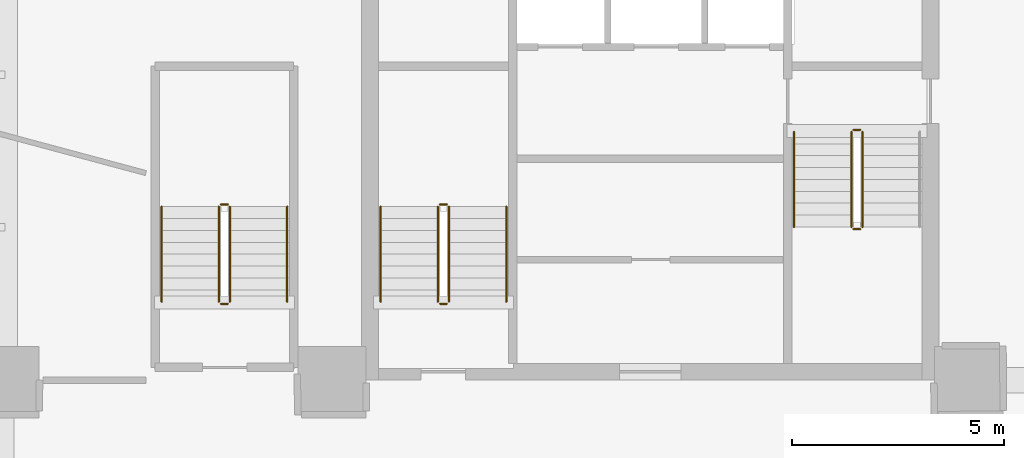
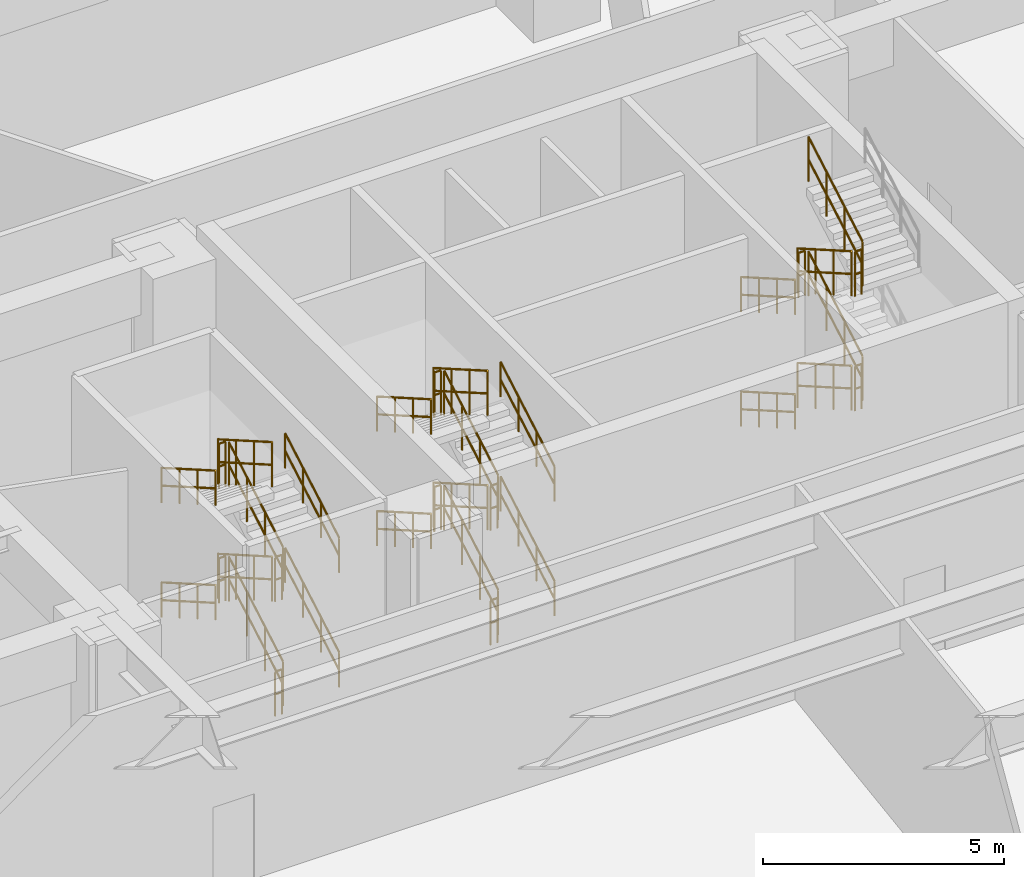
# One storey, part 9 of 12: 33 railings.
"""IFC4 building model written with IfcOpenShell, lengths in metres."""

from ifc_helpers import new_model, si_unit, direction, frame, origin, origin_2d, place, context, subcontext, project, spatial, circle, extrude, material, type_object, element, save


model = new_model("IFC4")

# Units and contexts
model_context = context("Model", 3, precision=1e-05, world=origin(), true_north=direction((0.0, 1.0)))
body_context = subcontext(model_context, "Body", "Model", "MODEL_VIEW")
ifc_project = project(units=[si_unit("LENGTHUNIT", "METRE"), si_unit("AREAUNIT", "SQUARE_METRE"), si_unit("VOLUMEUNIT", "CUBIC_METRE"), si_unit("PLANEANGLEUNIT", "RADIAN"), si_unit("MASSUNIT", "GRAM", prefix="KILO")], contexts=[model_context])

# Site, building, storey
site_placement = place(None, origin())
site = spatial("IfcSite", under=ifc_project, at=site_placement, CompositionType="ELEMENT")
building_placement = place(site_placement, origin())
building = spatial("IfcBuilding", under=site, at=building_placement, Name="Talar Marvaseh", CompositionType="ELEMENT")
storey_placement = place(building_placement, frame((0.0, 0.0, -5.800048828125)))
storey = spatial("IfcBuildingStorey", under=building, at=storey_placement, Name="B01", CompositionType="ELEMENT", Elevation=-5.800048828125)

# Railings
ifc_material = material(Name="Stainless Steel Grade 316", Category="steel")
railing_type_1 = type_object("IfcRailingType", Name="Brushed Stainless Wall Pitch Handrail 900", PredefinedType="HANDRAIL", material=ifc_material)
railing_1_placement = place(storey_placement, frame((22.610107421875, 27.64990234375, 0.1611328125)))
element("IfcRailing", 1, at=railing_1_placement, inside=storey, type_object=railing_type_1, Name="B01 ST-1 stair handrail 1", PredefinedType="HANDRAIL", context=body_context, shape_type="SweptSolid", body=[
    extrude(circle(Radius=0.02392578125, at=origin_2d()), frame((0.0, 0.0, 0.8759765625), z_axis=(0.0, 0.866768490956, 0.498710720845), x_axis=(-1.0, 0.0, 0.0)), (0.0, 0.0, 1.0), 2.584228515625),
    extrude(circle(Radius=0.02392578125, at=origin_2d()), frame((0.0, 0.0, 0.42578125), z_axis=(0.0, 0.866768490956, 0.498710720845), x_axis=(-1.0, 0.0, 0.0)), (0.0, 0.0, 1.0), 2.584228515625),
    extrude(circle(Radius=0.02099609375, at=origin_2d()), origin(), (0.0, 0.0, 1.0), 0.851806640625),
    extrude(circle(Radius=0.02099609375, at=origin_2d()), frame((0.0, 0.74658203125, 0.4296875)), (0.0, 0.0, 1.0), 0.851806640625),
    extrude(circle(Radius=0.02099609375, at=origin_2d()), frame((0.0, 1.493408203125, 0.859130859375)), (0.0, 0.0, 1.0), 0.851806640625),
    extrude(circle(Radius=0.02099609375, at=origin_2d()), frame((0.0, 2.239990234375, 1.288818359375)), (0.0, 0.0, 1.0), 0.851806640625),
])
railing_2_placement = place(storey_placement, frame((19.64990234375, 29.889892578125, 1.611083984375)))
element("IfcRailing", 2, at=railing_2_placement, inside=storey, type_object=railing_type_1, Name="B01 ST-1 stair handrail 2", PredefinedType="HANDRAIL", context=body_context, shape_type="SweptSolid", body=[
    extrude(circle(Radius=0.02392578125, at=origin_2d()), frame((0.0, 0.0, 0.8759765625), z_axis=(0.0, -0.866727653441, 0.498781690482), x_axis=(1.0, 0.0, 0.0)), (0.0, 0.0, 1.0), 2.58447265625),
    extrude(circle(Radius=0.02392578125, at=origin_2d()), frame((0.0, 0.0, 0.42578125), z_axis=(0.0, -0.866727653441, 0.498781690482), x_axis=(1.0, 0.0, 0.0)), (0.0, 0.0, 1.0), 2.58447265625),
    extrude(circle(Radius=0.02099609375, at=origin_2d()), origin(), (0.0, 0.0, 1.0), 0.851806640625),
    extrude(circle(Radius=0.02099609375, at=origin_2d()), frame((0.0, -0.74658203125, 0.4296875)), (0.0, 0.0, 1.0), 0.851806640625),
    extrude(circle(Radius=0.02099609375, at=origin_2d()), frame((0.0, -1.493408203125, 0.859375)), (0.0, 0.0, 1.0), 0.851806640625),
    extrude(circle(Radius=0.02099609375, at=origin_2d()), frame((0.0, -2.239990234375, 1.2890625)), (0.0, 0.0, 1.0), 0.851806640625),
])
railing_3_placement = place(storey_placement, frame((22.610107421875, 27.64990234375, 3.061279296875)))
element("IfcRailing", 3, at=railing_3_placement, inside=storey, type_object=railing_type_1, Name="B01 ST-1 stair handrail 3", PredefinedType="HANDRAIL", context=body_context, shape_type="SweptSolid", body=[
    extrude(circle(Radius=0.02392578125, at=origin_2d()), frame((0.0, 0.0, 0.8759765625), z_axis=(0.0, 0.866768490956, 0.498710720845), x_axis=(-1.0, 0.0, 0.0)), (0.0, 0.0, 1.0), 2.584228515625),
    extrude(circle(Radius=0.02392578125, at=origin_2d()), frame((0.0, 0.0, 0.42578125), z_axis=(0.0, 0.866768490956, 0.498710720845), x_axis=(-1.0, 0.0, 0.0)), (0.0, 0.0, 1.0), 2.584228515625),
    extrude(circle(Radius=0.02099609375, at=origin_2d()), origin(), (0.0, 0.0, 1.0), 0.851806640625),
    extrude(circle(Radius=0.02099609375, at=origin_2d()), frame((0.0, 0.74658203125, 0.4296875)), (0.0, 0.0, 1.0), 0.851806640625),
    extrude(circle(Radius=0.02099609375, at=origin_2d()), frame((0.0, 1.493408203125, 0.859130859375)), (0.0, 0.0, 1.0), 0.851806640625),
    extrude(circle(Radius=0.02099609375, at=origin_2d()), frame((0.0, 2.239990234375, 1.288818359375)), (0.0, 0.0, 1.0), 0.851806640625),
])
for number, where, name in (
    (4, (19.64990234375, 29.889892578125, 4.51123046875), "B01 ST-1 stair handrail 4"),
    (5, (29.389892578125, 31.64990234375, 0.1611328125), "B01 ST-2 stair handrail 1"),
    (6, (29.389892578125, 31.64990234375, 3.061279296875), "B01 ST-2 stair handrail 3"),
):
    element("IfcRailing", number, at=place(storey_placement, frame(where)), inside=storey, type_object=railing_type_1, Name=name, PredefinedType="HANDRAIL", context=body_context, shape_type="SweptSolid", body=[
        extrude(circle(Radius=0.02392578125, at=origin_2d()), frame((0.0, 0.0, 0.8759765625), z_axis=(0.0, -0.866768490956, 0.498710720845), x_axis=(1.0, 0.0, 0.0)), (0.0, 0.0, 1.0), 2.584228515625),
        extrude(circle(Radius=0.02392578125, at=origin_2d()), frame((0.0, 0.0, 0.42578125), z_axis=(0.0, -0.866768490956, 0.498710720845), x_axis=(1.0, 0.0, 0.0)), (0.0, 0.0, 1.0), 2.584228515625),
        extrude(circle(Radius=0.02099609375, at=origin_2d()), origin(), (0.0, 0.0, 1.0), 0.851806640625),
        extrude(circle(Radius=0.02099609375, at=origin_2d()), frame((0.0, -0.74658203125, 0.4296875)), (0.0, 0.0, 1.0), 0.851806640625),
        extrude(circle(Radius=0.02099609375, at=origin_2d()), frame((0.0, -1.493408203125, 0.859130859375)), (0.0, 0.0, 1.0), 0.851806640625),
        extrude(circle(Radius=0.02099609375, at=origin_2d()), frame((0.0, -2.239990234375, 1.288818359375)), (0.0, 0.0, 1.0), 0.851806640625),
    ])
railing_4_placement = place(storey_placement, frame((17.449951171875, 27.64990234375, 0.1611328125)))
element("IfcRailing", 7, at=railing_4_placement, inside=storey, type_object=railing_type_1, Name="B01 ST-3 stair handrail 1", PredefinedType="HANDRAIL", context=body_context, shape_type="SweptSolid", body=[
    extrude(circle(Radius=0.02392578125, at=origin_2d()), frame((0.0, 0.0, 0.8759765625), z_axis=(0.0, 0.866768490956, 0.498710720845), x_axis=(-1.0, 0.0, 0.0)), (0.0, 0.0, 1.0), 2.584228515625),
    extrude(circle(Radius=0.02392578125, at=origin_2d()), frame((0.0, 0.0, 0.42578125), z_axis=(0.0, 0.866768490956, 0.498710720845), x_axis=(-1.0, 0.0, 0.0)), (0.0, 0.0, 1.0), 2.584228515625),
    extrude(circle(Radius=0.02099609375, at=origin_2d()), origin(), (0.0, 0.0, 1.0), 0.851806640625),
    extrude(circle(Radius=0.02099609375, at=origin_2d()), frame((0.0, 0.74658203125, 0.4296875)), (0.0, 0.0, 1.0), 0.851806640625),
    extrude(circle(Radius=0.02099609375, at=origin_2d()), frame((0.0, 1.493408203125, 0.859130859375)), (0.0, 0.0, 1.0), 0.851806640625),
    extrude(circle(Radius=0.02099609375, at=origin_2d()), frame((0.0, 2.239990234375, 1.288818359375)), (0.0, 0.0, 1.0), 0.851806640625),
])
railing_5_placement = place(storey_placement, frame((14.489990234375, 29.889892578125, 1.611083984375)))
element("IfcRailing", 8, at=railing_5_placement, inside=storey, type_object=railing_type_1, Name="B01 ST-3 stair handrail 2", PredefinedType="HANDRAIL", context=body_context, shape_type="SweptSolid", body=[
    extrude(circle(Radius=0.02392578125, at=origin_2d()), frame((0.0, 0.0, 0.8759765625), z_axis=(0.0, -0.866727653441, 0.498781690482), x_axis=(1.0, 0.0, 0.0)), (0.0, 0.0, 1.0), 2.58447265625),
    extrude(circle(Radius=0.02392578125, at=origin_2d()), frame((0.0, 0.0, 0.42578125), z_axis=(0.0, -0.866727653441, 0.498781690482), x_axis=(1.0, 0.0, 0.0)), (0.0, 0.0, 1.0), 2.58447265625),
    extrude(circle(Radius=0.02099609375, at=origin_2d()), origin(), (0.0, 0.0, 1.0), 0.851806640625),
    extrude(circle(Radius=0.02099609375, at=origin_2d()), frame((0.0, -0.74658203125, 0.4296875)), (0.0, 0.0, 1.0), 0.851806640625),
    extrude(circle(Radius=0.02099609375, at=origin_2d()), frame((0.0, -1.493408203125, 0.859375)), (0.0, 0.0, 1.0), 0.851806640625),
    extrude(circle(Radius=0.02099609375, at=origin_2d()), frame((0.0, -2.239990234375, 1.2890625)), (0.0, 0.0, 1.0), 0.851806640625),
])
railing_6_placement = place(storey_placement, frame((17.449951171875, 27.64990234375, 3.061279296875)))
element("IfcRailing", 9, at=railing_6_placement, inside=storey, type_object=railing_type_1, Name="B01 ST-3 stair handrail 3", PredefinedType="HANDRAIL", context=body_context, shape_type="SweptSolid", body=[
    extrude(circle(Radius=0.02392578125, at=origin_2d()), frame((0.0, 0.0, 0.8759765625), z_axis=(0.0, 0.866768490956, 0.498710720845), x_axis=(-1.0, 0.0, 0.0)), (0.0, 0.0, 1.0), 2.584228515625),
    extrude(circle(Radius=0.02392578125, at=origin_2d()), frame((0.0, 0.0, 0.42578125), z_axis=(0.0, 0.866768490956, 0.498710720845), x_axis=(-1.0, 0.0, 0.0)), (0.0, 0.0, 1.0), 2.584228515625),
    extrude(circle(Radius=0.02099609375, at=origin_2d()), origin(), (0.0, 0.0, 1.0), 0.851806640625),
    extrude(circle(Radius=0.02099609375, at=origin_2d()), frame((0.0, 0.74658203125, 0.4296875)), (0.0, 0.0, 1.0), 0.851806640625),
    extrude(circle(Radius=0.02099609375, at=origin_2d()), frame((0.0, 1.493408203125, 0.859130859375)), (0.0, 0.0, 1.0), 0.851806640625),
    extrude(circle(Radius=0.02099609375, at=origin_2d()), frame((0.0, 2.239990234375, 1.288818359375)), (0.0, 0.0, 1.0), 0.851806640625),
])
railing_7_placement = place(storey_placement, frame((14.489990234375, 29.889892578125, 4.51123046875)))
element("IfcRailing", 10, at=railing_7_placement, inside=storey, type_object=railing_type_1, Name="B01 ST-3 stair handrail 4", PredefinedType="HANDRAIL", context=body_context, shape_type="SweptSolid", body=[
    extrude(circle(Radius=0.02392578125, at=origin_2d()), frame((0.0, 0.0, 0.8759765625), z_axis=(0.0, -0.866768490956, 0.498710720845), x_axis=(1.0, 0.0, 0.0)), (0.0, 0.0, 1.0), 2.584228515625),
    extrude(circle(Radius=0.02392578125, at=origin_2d()), frame((0.0, 0.0, 0.42578125), z_axis=(0.0, -0.866768490956, 0.498710720845), x_axis=(1.0, 0.0, 0.0)), (0.0, 0.0, 1.0), 2.584228515625),
    extrude(circle(Radius=0.02099609375, at=origin_2d()), origin(), (0.0, 0.0, 1.0), 0.851806640625),
    extrude(circle(Radius=0.02099609375, at=origin_2d()), frame((0.0, -0.74658203125, 0.4296875)), (0.0, 0.0, 1.0), 0.851806640625),
    extrude(circle(Radius=0.02099609375, at=origin_2d()), frame((0.0, -1.493408203125, 0.859130859375)), (0.0, 0.0, 1.0), 0.851806640625),
    extrude(circle(Radius=0.02099609375, at=origin_2d()), frame((0.0, -2.239990234375, 1.288818359375)), (0.0, 0.0, 1.0), 0.851806640625),
])
railing_type_2 = type_object("IfcRailingType", Name="Painted Steel Core Stair Well Guardrail 1150", PredefinedType="GUARDRAIL", material=ifc_material)
railing_8_placement = place(storey_placement, frame((21.260009765625, 27.64990234375, 0.1611328125)))
element("IfcRailing", 11, at=railing_8_placement, inside=storey, type_object=railing_type_2, Name="B01 ST-1 stair guard 1", PredefinedType="GUARDRAIL", context=body_context, shape_type="SweptSolid", body=[
    extrude(circle(Radius=0.02392578125, at=origin_2d()), frame((0.0, 0.0, 1.1259765625), z_axis=(0.0, 0.866768490956, 0.498710720845), x_axis=(-1.0, 0.0, 0.0)), (0.0, 0.0, 1.0), 2.584228515625),
    extrude(circle(Radius=0.02392578125, at=origin_2d()), frame((0.0, 0.0, 0.55078125), z_axis=(0.0, 0.866768490956, 0.498710720845), x_axis=(-1.0, 0.0, 0.0)), (0.0, 0.0, 1.0), 2.584228515625),
    extrude(circle(Radius=0.02099609375, at=origin_2d()), origin(), (0.0, 0.0, 1.0), 1.101806640625),
    extrude(circle(Radius=0.02099609375, at=origin_2d()), frame((0.0, 0.74658203125, 0.4296875)), (0.0, 0.0, 1.0), 1.101806640625),
    extrude(circle(Radius=0.02099609375, at=origin_2d()), frame((0.0, 1.493408203125, 0.859130859375)), (0.0, 0.0, 1.0), 1.101806640625),
    extrude(circle(Radius=0.02099609375, at=origin_2d()), frame((0.0, 2.239990234375, 1.288818359375)), (0.0, 0.0, 1.0), 1.101806640625),
])
railing_9_placement = place(storey_placement, frame((21.2099609375, 29.93994140625, 1.449951171875)))
element("IfcRailing", 12, at=railing_9_placement, inside=storey, type_object=railing_type_2, Name="B01 ST-1 stair guard 2", PredefinedType="GUARDRAIL", context=body_context, shape_type="SweptSolid", body=[
    extrude(circle(Radius=0.02392578125, at=origin_2d()), frame((0.0, 0.0, 1.1259765625), z_axis=(-1.0, 0.0, 0.0), x_axis=(0.0, -1.0, 0.0)), (0.0, 0.0, 1.0), 0.159912109375),
    extrude(circle(Radius=0.02392578125, at=origin_2d()), frame((0.0, 0.0, 0.55078125), z_axis=(-1.0, 0.0, 0.0), x_axis=(0.0, -1.0, 0.0)), (0.0, 0.0, 1.0), 0.159912109375),
    extrude(circle(Radius=0.02099609375, at=origin_2d()), origin(), (0.0, 0.0, 1.0), 1.101806640625),
    extrude(circle(Radius=0.02099609375, at=origin_2d()), frame((-0.159912109375, 0.0, 0.0)), (0.0, 0.0, 1.0), 1.101806640625),
])
railing_10_placement = place(storey_placement, frame((21.0, 29.889892578125, 1.611083984375)))
element("IfcRailing", 13, at=railing_10_placement, inside=storey, type_object=railing_type_2, Name="B01 ST-1 stair guard 3", PredefinedType="GUARDRAIL", context=body_context, shape_type="SweptSolid", body=[
    extrude(circle(Radius=0.02392578125, at=origin_2d()), frame((0.0, 0.0, 1.1259765625), z_axis=(0.0, -0.866727653441, 0.498781690482), x_axis=(1.0, 0.0, 0.0)), (0.0, 0.0, 1.0), 2.58447265625),
    extrude(circle(Radius=0.02392578125, at=origin_2d()), frame((0.0, 0.0, 0.55078125), z_axis=(0.0, -0.866727653441, 0.498781690482), x_axis=(1.0, 0.0, 0.0)), (0.0, 0.0, 1.0), 2.58447265625),
    extrude(circle(Radius=0.02099609375, at=origin_2d()), origin(), (0.0, 0.0, 1.0), 1.101806640625),
    extrude(circle(Radius=0.02099609375, at=origin_2d()), frame((0.0, -0.74658203125, 0.4296875)), (0.0, 0.0, 1.0), 1.101806640625),
    extrude(circle(Radius=0.02099609375, at=origin_2d()), frame((0.0, -1.493408203125, 0.859375)), (0.0, 0.0, 1.0), 1.101806640625),
    extrude(circle(Radius=0.02099609375, at=origin_2d()), frame((0.0, -2.239990234375, 1.2890625)), (0.0, 0.0, 1.0), 1.101806640625),
])
railing_11_placement = place(storey_placement, frame((21.2099609375, 27.60009765625, 2.900146484375)))
element("IfcRailing", 14, at=railing_11_placement, inside=storey, type_object=railing_type_2, Name="B01 ST-1 stair guard 4", PredefinedType="GUARDRAIL", context=body_context, shape_type="SweptSolid", body=[
    extrude(circle(Radius=0.02392578125, at=origin_2d()), frame((0.0, 0.0, 1.1259765625), z_axis=(-1.0, 0.0, 0.0), x_axis=(0.0, -1.0, 0.0)), (0.0, 0.0, 1.0), 0.159912109375),
    extrude(circle(Radius=0.02392578125, at=origin_2d()), frame((0.0, 0.0, 0.55078125), z_axis=(-1.0, 0.0, 0.0), x_axis=(0.0, -1.0, 0.0)), (0.0, 0.0, 1.0), 0.159912109375),
    extrude(circle(Radius=0.02099609375, at=origin_2d()), origin(), (0.0, 0.0, 1.0), 1.101806640625),
    extrude(circle(Radius=0.02099609375, at=origin_2d()), frame((-0.159912109375, 0.0, 0.0)), (0.0, 0.0, 1.0), 1.101806640625),
])
railing_12_placement = place(storey_placement, frame((21.260009765625, 27.64990234375, 3.061279296875)))
element("IfcRailing", 15, at=railing_12_placement, inside=storey, type_object=railing_type_2, Name="B01 ST-1 stair guard 5", PredefinedType="GUARDRAIL", context=body_context, shape_type="SweptSolid", body=[
    extrude(circle(Radius=0.02392578125, at=origin_2d()), frame((0.0, 0.0, 1.1259765625), z_axis=(0.0, 0.866768490956, 0.498710720845), x_axis=(-1.0, 0.0, 0.0)), (0.0, 0.0, 1.0), 2.584228515625),
    extrude(circle(Radius=0.02392578125, at=origin_2d()), frame((0.0, 0.0, 0.55078125), z_axis=(0.0, 0.866768490956, 0.498710720845), x_axis=(-1.0, 0.0, 0.0)), (0.0, 0.0, 1.0), 2.584228515625),
    extrude(circle(Radius=0.02099609375, at=origin_2d()), origin(), (0.0, 0.0, 1.0), 1.101806640625),
    extrude(circle(Radius=0.02099609375, at=origin_2d()), frame((0.0, 0.74658203125, 0.4296875)), (0.0, 0.0, 1.0), 1.101806640625),
    extrude(circle(Radius=0.02099609375, at=origin_2d()), frame((0.0, 1.493408203125, 0.859130859375)), (0.0, 0.0, 1.0), 1.101806640625),
    extrude(circle(Radius=0.02099609375, at=origin_2d()), frame((0.0, 2.239990234375, 1.288818359375)), (0.0, 0.0, 1.0), 1.101806640625),
])
railing_13_placement = place(storey_placement, frame((21.2099609375, 29.93994140625, 4.35009765625)))
element("IfcRailing", 16, at=railing_13_placement, inside=storey, type_object=railing_type_2, Name="B01 ST-1 stair guard 6", PredefinedType="GUARDRAIL", context=body_context, shape_type="SweptSolid", body=[
    extrude(circle(Radius=0.02392578125, at=origin_2d()), frame((0.0, 0.0, 1.1259765625), z_axis=(-1.0, 0.0, 0.0), x_axis=(0.0, -1.0, 0.0)), (0.0, 0.0, 1.0), 0.159912109375),
    extrude(circle(Radius=0.02392578125, at=origin_2d()), frame((0.0, 0.0, 0.55078125), z_axis=(-1.0, 0.0, 0.0), x_axis=(0.0, -1.0, 0.0)), (0.0, 0.0, 1.0), 0.159912109375),
    extrude(circle(Radius=0.02099609375, at=origin_2d()), origin(), (0.0, 0.0, 1.0), 1.101806640625),
    extrude(circle(Radius=0.02099609375, at=origin_2d()), frame((-0.159912109375, 0.0, 0.0)), (0.0, 0.0, 1.0), 1.101806640625),
])
railing_14_placement = place(storey_placement, frame((21.0, 29.889892578125, 4.51123046875)))
element("IfcRailing", 17, at=railing_14_placement, inside=storey, type_object=railing_type_2, Name="B01 ST-1 stair guard 7", PredefinedType="GUARDRAIL", context=body_context, shape_type="SweptSolid", body=[
    extrude(circle(Radius=0.02392578125, at=origin_2d()), frame((0.0, 0.0, 1.1259765625), z_axis=(0.0, -0.866768490956, 0.498710720845), x_axis=(1.0, 0.0, 0.0)), (0.0, 0.0, 1.0), 2.584228515625),
    extrude(circle(Radius=0.02392578125, at=origin_2d()), frame((0.0, 0.0, 0.55078125), z_axis=(0.0, -0.866768490956, 0.498710720845), x_axis=(1.0, 0.0, 0.0)), (0.0, 0.0, 1.0), 2.584228515625),
    extrude(circle(Radius=0.02099609375, at=origin_2d()), origin(), (0.0, 0.0, 1.0), 1.101806640625),
    extrude(circle(Radius=0.02099609375, at=origin_2d()), frame((0.0, -0.74658203125, 0.4296875)), (0.0, 0.0, 1.0), 1.101806640625),
    extrude(circle(Radius=0.02099609375, at=origin_2d()), frame((0.0, -1.493408203125, 0.859130859375)), (0.0, 0.0, 1.0), 1.101806640625),
    extrude(circle(Radius=0.02099609375, at=origin_2d()), frame((0.0, -2.239990234375, 1.288818359375)), (0.0, 0.0, 1.0), 1.101806640625),
])
railing_15_placement = place(storey_placement, frame((21.2099609375, 27.60009765625, 0.0)))
element("IfcRailing", 18, at=railing_15_placement, inside=storey, type_object=railing_type_2, Name="B01 ST-1 stair guard 8", PredefinedType="GUARDRAIL", context=body_context, shape_type="SweptSolid", body=[
    extrude(circle(Radius=0.02392578125, at=origin_2d()), frame((0.0, 0.0, 1.1259765625), z_axis=(-1.0, 0.0, 0.0), x_axis=(0.0, -1.0, 0.0)), (0.0, 0.0, 1.0), 0.159912109375),
    extrude(circle(Radius=0.02392578125, at=origin_2d()), frame((0.0, 0.0, 0.55078125), z_axis=(-1.0, 0.0, 0.0), x_axis=(0.0, -1.0, 0.0)), (0.0, 0.0, 1.0), 0.159912109375),
    extrude(circle(Radius=0.02099609375, at=origin_2d()), origin(), (0.0, 0.0, 1.0), 1.101806640625),
    extrude(circle(Radius=0.02099609375, at=origin_2d()), frame((-0.159912109375, 0.0, 0.0)), (0.0, 0.0, 1.0), 1.101806640625),
])
railing_16_placement = place(storey_placement, frame((30.739990234375, 31.64990234375, 0.1611328125)))
element("IfcRailing", 19, at=railing_16_placement, inside=storey, type_object=railing_type_2, Name="B01 ST-2 stair guard 1", PredefinedType="GUARDRAIL", context=body_context, shape_type="SweptSolid", body=[
    extrude(circle(Radius=0.02392578125, at=origin_2d()), frame((0.0, 0.0, 1.1259765625), z_axis=(0.0, -0.866768490956, 0.498710720845), x_axis=(1.0, 0.0, 0.0)), (0.0, 0.0, 1.0), 2.584228515625),
    extrude(circle(Radius=0.02392578125, at=origin_2d()), frame((0.0, 0.0, 0.55078125), z_axis=(0.0, -0.866768490956, 0.498710720845), x_axis=(1.0, 0.0, 0.0)), (0.0, 0.0, 1.0), 2.584228515625),
    extrude(circle(Radius=0.02099609375, at=origin_2d()), origin(), (0.0, 0.0, 1.0), 1.101806640625),
    extrude(circle(Radius=0.02099609375, at=origin_2d()), frame((0.0, -0.74658203125, 0.4296875)), (0.0, 0.0, 1.0), 1.101806640625),
    extrude(circle(Radius=0.02099609375, at=origin_2d()), frame((0.0, -1.493408203125, 0.859130859375)), (0.0, 0.0, 1.0), 1.101806640625),
    extrude(circle(Radius=0.02099609375, at=origin_2d()), frame((0.0, -2.239990234375, 1.288818359375)), (0.0, 0.0, 1.0), 1.101806640625),
])
railing_17_placement = place(storey_placement, frame((30.7900390625, 29.360107421875, 1.449951171875)))
element("IfcRailing", 20, at=railing_17_placement, inside=storey, type_object=railing_type_2, Name="B01 ST-2 stair guard 2", PredefinedType="GUARDRAIL", context=body_context, shape_type="SweptSolid", body=[
    extrude(circle(Radius=0.02392578125, at=origin_2d()), frame((0.0, 0.0, 1.1259765625), z_axis=(1.0, 0.0, 0.0), x_axis=(0.0, 1.0, 0.0)), (0.0, 0.0, 1.0), 0.159912109375),
    extrude(circle(Radius=0.02392578125, at=origin_2d()), frame((0.0, 0.0, 0.55078125), z_axis=(1.0, 0.0, 0.0), x_axis=(0.0, 1.0, 0.0)), (0.0, 0.0, 1.0), 0.159912109375),
    extrude(circle(Radius=0.02099609375, at=origin_2d()), origin(), (0.0, 0.0, 1.0), 1.101806640625),
    extrude(circle(Radius=0.02099609375, at=origin_2d()), frame((0.159912109375, 0.0, 0.0)), (0.0, 0.0, 1.0), 1.101806640625),
])
railing_18_placement = place(storey_placement, frame((31.0, 29.409912109375, 1.611083984375)))
element("IfcRailing", 21, at=railing_18_placement, inside=storey, type_object=railing_type_2, Name="B01 ST-2 stair guard 3", PredefinedType="GUARDRAIL", context=body_context, shape_type="SweptSolid", body=[
    extrude(circle(Radius=0.02392578125, at=origin_2d()), frame((0.0, 0.0, 1.1259765625), z_axis=(0.0, 0.866727653441, 0.498781690482), x_axis=(-1.0, 0.0, 0.0)), (0.0, 0.0, 1.0), 2.58447265625),
    extrude(circle(Radius=0.02392578125, at=origin_2d()), frame((0.0, 0.0, 0.55078125), z_axis=(0.0, 0.866727653441, 0.498781690482), x_axis=(-1.0, 0.0, 0.0)), (0.0, 0.0, 1.0), 2.58447265625),
    extrude(circle(Radius=0.02099609375, at=origin_2d()), origin(), (0.0, 0.0, 1.0), 1.101806640625),
    extrude(circle(Radius=0.02099609375, at=origin_2d()), frame((0.0, 0.74658203125, 0.4296875)), (0.0, 0.0, 1.0), 1.101806640625),
    extrude(circle(Radius=0.02099609375, at=origin_2d()), frame((0.0, 1.493408203125, 0.859375)), (0.0, 0.0, 1.0), 1.101806640625),
    extrude(circle(Radius=0.02099609375, at=origin_2d()), frame((0.0, 2.239990234375, 1.2890625)), (0.0, 0.0, 1.0), 1.101806640625),
])
railing_19_placement = place(storey_placement, frame((30.7900390625, 31.699951171875, 2.900146484375)))
element("IfcRailing", 22, at=railing_19_placement, inside=storey, type_object=railing_type_2, Name="B01 ST-2 stair guard 4", PredefinedType="GUARDRAIL", context=body_context, shape_type="SweptSolid", body=[
    extrude(circle(Radius=0.02392578125, at=origin_2d()), frame((0.0, 0.0, 1.1259765625), z_axis=(1.0, 0.0, 0.0), x_axis=(0.0, 1.0, 0.0)), (0.0, 0.0, 1.0), 0.159912109375),
    extrude(circle(Radius=0.02392578125, at=origin_2d()), frame((0.0, 0.0, 0.55078125), z_axis=(1.0, 0.0, 0.0), x_axis=(0.0, 1.0, 0.0)), (0.0, 0.0, 1.0), 0.159912109375),
    extrude(circle(Radius=0.02099609375, at=origin_2d()), origin(), (0.0, 0.0, 1.0), 1.101806640625),
    extrude(circle(Radius=0.02099609375, at=origin_2d()), frame((0.159912109375, 0.0, 0.0)), (0.0, 0.0, 1.0), 1.101806640625),
])
railing_20_placement = place(storey_placement, frame((30.739990234375, 31.64990234375, 3.061279296875)))
element("IfcRailing", 23, at=railing_20_placement, inside=storey, type_object=railing_type_2, Name="B01 ST-2 stair guard 5", PredefinedType="GUARDRAIL", context=body_context, shape_type="SweptSolid", body=[
    extrude(circle(Radius=0.02392578125, at=origin_2d()), frame((0.0, 0.0, 1.1259765625), z_axis=(0.0, -0.866768490956, 0.498710720845), x_axis=(1.0, 0.0, 0.0)), (0.0, 0.0, 1.0), 2.584228515625),
    extrude(circle(Radius=0.02392578125, at=origin_2d()), frame((0.0, 0.0, 0.55078125), z_axis=(0.0, -0.866768490956, 0.498710720845), x_axis=(1.0, 0.0, 0.0)), (0.0, 0.0, 1.0), 2.584228515625),
    extrude(circle(Radius=0.02099609375, at=origin_2d()), origin(), (0.0, 0.0, 1.0), 1.101806640625),
    extrude(circle(Radius=0.02099609375, at=origin_2d()), frame((0.0, -0.74658203125, 0.4296875)), (0.0, 0.0, 1.0), 1.101806640625),
    extrude(circle(Radius=0.02099609375, at=origin_2d()), frame((0.0, -1.493408203125, 0.859130859375)), (0.0, 0.0, 1.0), 1.101806640625),
    extrude(circle(Radius=0.02099609375, at=origin_2d()), frame((0.0, -2.239990234375, 1.288818359375)), (0.0, 0.0, 1.0), 1.101806640625),
])
railing_21_placement = place(storey_placement, frame((30.7900390625, 29.360107421875, 4.35009765625)))
element("IfcRailing", 24, at=railing_21_placement, inside=storey, type_object=railing_type_2, Name="B01 ST-2 stair guard 6", PredefinedType="GUARDRAIL", context=body_context, shape_type="SweptSolid", body=[
    extrude(circle(Radius=0.02392578125, at=origin_2d()), frame((0.0, 0.0, 1.1259765625), z_axis=(1.0, 0.0, 0.0), x_axis=(0.0, 1.0, 0.0)), (0.0, 0.0, 1.0), 0.159912109375),
    extrude(circle(Radius=0.02392578125, at=origin_2d()), frame((0.0, 0.0, 0.55078125), z_axis=(1.0, 0.0, 0.0), x_axis=(0.0, 1.0, 0.0)), (0.0, 0.0, 1.0), 0.159912109375),
    extrude(circle(Radius=0.02099609375, at=origin_2d()), origin(), (0.0, 0.0, 1.0), 1.101806640625),
    extrude(circle(Radius=0.02099609375, at=origin_2d()), frame((0.159912109375, 0.0, 0.0)), (0.0, 0.0, 1.0), 1.101806640625),
])
for number, where, name in (
    (25, (31.0, 29.409912109375, 4.51123046875), "B01 ST-2 stair guard 7"),
    (26, (16.10009765625, 27.64990234375, 0.1611328125), "B01 ST-3 stair guard 1"),
):
    element("IfcRailing", number, at=place(storey_placement, frame(where)), inside=storey, type_object=railing_type_2, Name=name, PredefinedType="GUARDRAIL", context=body_context, shape_type="SweptSolid", body=[
        extrude(circle(Radius=0.02392578125, at=origin_2d()), frame((0.0, 0.0, 1.1259765625), z_axis=(0.0, 0.866768490956, 0.498710720845), x_axis=(-1.0, 0.0, 0.0)), (0.0, 0.0, 1.0), 2.584228515625),
        extrude(circle(Radius=0.02392578125, at=origin_2d()), frame((0.0, 0.0, 0.55078125), z_axis=(0.0, 0.866768490956, 0.498710720845), x_axis=(-1.0, 0.0, 0.0)), (0.0, 0.0, 1.0), 2.584228515625),
        extrude(circle(Radius=0.02099609375, at=origin_2d()), origin(), (0.0, 0.0, 1.0), 1.101806640625),
        extrude(circle(Radius=0.02099609375, at=origin_2d()), frame((0.0, 0.74658203125, 0.4296875)), (0.0, 0.0, 1.0), 1.101806640625),
        extrude(circle(Radius=0.02099609375, at=origin_2d()), frame((0.0, 1.493408203125, 0.859130859375)), (0.0, 0.0, 1.0), 1.101806640625),
        extrude(circle(Radius=0.02099609375, at=origin_2d()), frame((0.0, 2.239990234375, 1.288818359375)), (0.0, 0.0, 1.0), 1.101806640625),
    ])
railing_22_placement = place(storey_placement, frame((16.050048828125, 29.93994140625, 1.449951171875)))
element("IfcRailing", 27, at=railing_22_placement, inside=storey, type_object=railing_type_2, Name="B01 ST-3 stair guard 2", PredefinedType="GUARDRAIL", context=body_context, shape_type="SweptSolid", body=[
    extrude(circle(Radius=0.02392578125, at=origin_2d()), frame((0.0, 0.0, 1.1259765625), z_axis=(-1.0, 0.0, 0.0), x_axis=(0.0, -1.0, 0.0)), (0.0, 0.0, 1.0), 0.16015625),
    extrude(circle(Radius=0.02392578125, at=origin_2d()), frame((0.0, 0.0, 0.55078125), z_axis=(-1.0, 0.0, 0.0), x_axis=(0.0, -1.0, 0.0)), (0.0, 0.0, 1.0), 0.16015625),
    extrude(circle(Radius=0.02099609375, at=origin_2d()), origin(), (0.0, 0.0, 1.0), 1.101806640625),
    extrude(circle(Radius=0.02099609375, at=origin_2d()), frame((-0.16015625, 0.0, 0.0)), (0.0, 0.0, 1.0), 1.101806640625),
])
railing_23_placement = place(storey_placement, frame((15.840087890625, 29.889892578125, 1.611083984375)))
element("IfcRailing", 28, at=railing_23_placement, inside=storey, type_object=railing_type_2, Name="B01 ST-3 stair guard 3", PredefinedType="GUARDRAIL", context=body_context, shape_type="SweptSolid", body=[
    extrude(circle(Radius=0.02392578125, at=origin_2d()), frame((0.0, 0.0, 1.1259765625), z_axis=(0.0, -0.866727653441, 0.498781690482), x_axis=(1.0, 0.0, 0.0)), (0.0, 0.0, 1.0), 2.58447265625),
    extrude(circle(Radius=0.02392578125, at=origin_2d()), frame((0.0, 0.0, 0.55078125), z_axis=(0.0, -0.866727653441, 0.498781690482), x_axis=(1.0, 0.0, 0.0)), (0.0, 0.0, 1.0), 2.58447265625),
    extrude(circle(Radius=0.02099609375, at=origin_2d()), origin(), (0.0, 0.0, 1.0), 1.101806640625),
    extrude(circle(Radius=0.02099609375, at=origin_2d()), frame((0.0, -0.74658203125, 0.4296875)), (0.0, 0.0, 1.0), 1.101806640625),
    extrude(circle(Radius=0.02099609375, at=origin_2d()), frame((0.0, -1.493408203125, 0.859375)), (0.0, 0.0, 1.0), 1.101806640625),
    extrude(circle(Radius=0.02099609375, at=origin_2d()), frame((0.0, -2.239990234375, 1.2890625)), (0.0, 0.0, 1.0), 1.101806640625),
])
railing_24_placement = place(storey_placement, frame((16.050048828125, 27.60009765625, 2.900146484375)))
element("IfcRailing", 29, at=railing_24_placement, inside=storey, type_object=railing_type_2, Name="B01 ST-3 stair guard 4", PredefinedType="GUARDRAIL", context=body_context, shape_type="SweptSolid", body=[
    extrude(circle(Radius=0.02392578125, at=origin_2d()), frame((0.0, 0.0, 1.1259765625), z_axis=(-1.0, 0.0, 0.0), x_axis=(0.0, -1.0, 0.0)), (0.0, 0.0, 1.0), 0.16015625),
    extrude(circle(Radius=0.02392578125, at=origin_2d()), frame((0.0, 0.0, 0.55078125), z_axis=(-1.0, 0.0, 0.0), x_axis=(0.0, -1.0, 0.0)), (0.0, 0.0, 1.0), 0.16015625),
    extrude(circle(Radius=0.02099609375, at=origin_2d()), origin(), (0.0, 0.0, 1.0), 1.101806640625),
    extrude(circle(Radius=0.02099609375, at=origin_2d()), frame((-0.16015625, 0.0, 0.0)), (0.0, 0.0, 1.0), 1.101806640625),
])
railing_25_placement = place(storey_placement, frame((16.10009765625, 27.64990234375, 3.061279296875)))
element("IfcRailing", 30, at=railing_25_placement, inside=storey, type_object=railing_type_2, Name="B01 ST-3 stair guard 5", PredefinedType="GUARDRAIL", context=body_context, shape_type="SweptSolid", body=[
    extrude(circle(Radius=0.02392578125, at=origin_2d()), frame((0.0, 0.0, 1.1259765625), z_axis=(0.0, 0.866768490956, 0.498710720845), x_axis=(-1.0, 0.0, 0.0)), (0.0, 0.0, 1.0), 2.584228515625),
    extrude(circle(Radius=0.02392578125, at=origin_2d()), frame((0.0, 0.0, 0.55078125), z_axis=(0.0, 0.866768490956, 0.498710720845), x_axis=(-1.0, 0.0, 0.0)), (0.0, 0.0, 1.0), 2.584228515625),
    extrude(circle(Radius=0.02099609375, at=origin_2d()), origin(), (0.0, 0.0, 1.0), 1.101806640625),
    extrude(circle(Radius=0.02099609375, at=origin_2d()), frame((0.0, 0.74658203125, 0.4296875)), (0.0, 0.0, 1.0), 1.101806640625),
    extrude(circle(Radius=0.02099609375, at=origin_2d()), frame((0.0, 1.493408203125, 0.859130859375)), (0.0, 0.0, 1.0), 1.101806640625),
    extrude(circle(Radius=0.02099609375, at=origin_2d()), frame((0.0, 2.239990234375, 1.288818359375)), (0.0, 0.0, 1.0), 1.101806640625),
])
railing_26_placement = place(storey_placement, frame((16.050048828125, 29.93994140625, 4.35009765625)))
element("IfcRailing", 31, at=railing_26_placement, inside=storey, type_object=railing_type_2, Name="B01 ST-3 stair guard 6", PredefinedType="GUARDRAIL", context=body_context, shape_type="SweptSolid", body=[
    extrude(circle(Radius=0.02392578125, at=origin_2d()), frame((0.0, 0.0, 1.1259765625), z_axis=(-1.0, 0.0, 0.0), x_axis=(0.0, -1.0, 0.0)), (0.0, 0.0, 1.0), 0.16015625),
    extrude(circle(Radius=0.02392578125, at=origin_2d()), frame((0.0, 0.0, 0.55078125), z_axis=(-1.0, 0.0, 0.0), x_axis=(0.0, -1.0, 0.0)), (0.0, 0.0, 1.0), 0.16015625),
    extrude(circle(Radius=0.02099609375, at=origin_2d()), origin(), (0.0, 0.0, 1.0), 1.101806640625),
    extrude(circle(Radius=0.02099609375, at=origin_2d()), frame((-0.16015625, 0.0, 0.0)), (0.0, 0.0, 1.0), 1.101806640625),
])
railing_27_placement = place(storey_placement, frame((15.840087890625, 29.889892578125, 4.51123046875)))
element("IfcRailing", 32, at=railing_27_placement, inside=storey, type_object=railing_type_2, Name="B01 ST-3 stair guard 7", PredefinedType="GUARDRAIL", context=body_context, shape_type="SweptSolid", body=[
    extrude(circle(Radius=0.02392578125, at=origin_2d()), frame((0.0, 0.0, 1.1259765625), z_axis=(0.0, -0.866768490956, 0.498710720845), x_axis=(1.0, 0.0, 0.0)), (0.0, 0.0, 1.0), 2.584228515625),
    extrude(circle(Radius=0.02392578125, at=origin_2d()), frame((0.0, 0.0, 0.55078125), z_axis=(0.0, -0.866768490956, 0.498710720845), x_axis=(1.0, 0.0, 0.0)), (0.0, 0.0, 1.0), 2.584228515625),
    extrude(circle(Radius=0.02099609375, at=origin_2d()), origin(), (0.0, 0.0, 1.0), 1.101806640625),
    extrude(circle(Radius=0.02099609375, at=origin_2d()), frame((0.0, -0.74658203125, 0.4296875)), (0.0, 0.0, 1.0), 1.101806640625),
    extrude(circle(Radius=0.02099609375, at=origin_2d()), frame((0.0, -1.493408203125, 0.859130859375)), (0.0, 0.0, 1.0), 1.101806640625),
    extrude(circle(Radius=0.02099609375, at=origin_2d()), frame((0.0, -2.239990234375, 1.288818359375)), (0.0, 0.0, 1.0), 1.101806640625),
])
railing_28_placement = place(storey_placement, frame((16.050048828125, 27.60009765625, 0.0)))
element("IfcRailing", 33, at=railing_28_placement, inside=storey, type_object=railing_type_2, Name="B01 ST-3 stair guard 8", PredefinedType="GUARDRAIL", context=body_context, shape_type="SweptSolid", body=[
    extrude(circle(Radius=0.02392578125, at=origin_2d()), frame((0.0, 0.0, 1.1259765625), z_axis=(-1.0, 0.0, 0.0), x_axis=(0.0, -1.0, 0.0)), (0.0, 0.0, 1.0), 0.16015625),
    extrude(circle(Radius=0.02392578125, at=origin_2d()), frame((0.0, 0.0, 0.55078125), z_axis=(-1.0, 0.0, 0.0), x_axis=(0.0, -1.0, 0.0)), (0.0, 0.0, 1.0), 0.16015625),
    extrude(circle(Radius=0.02099609375, at=origin_2d()), origin(), (0.0, 0.0, 1.0), 1.101806640625),
    extrude(circle(Radius=0.02099609375, at=origin_2d()), frame((-0.16015625, 0.0, 0.0)), (0.0, 0.0, 1.0), 1.101806640625),
])

save(model, "model.ifc")
